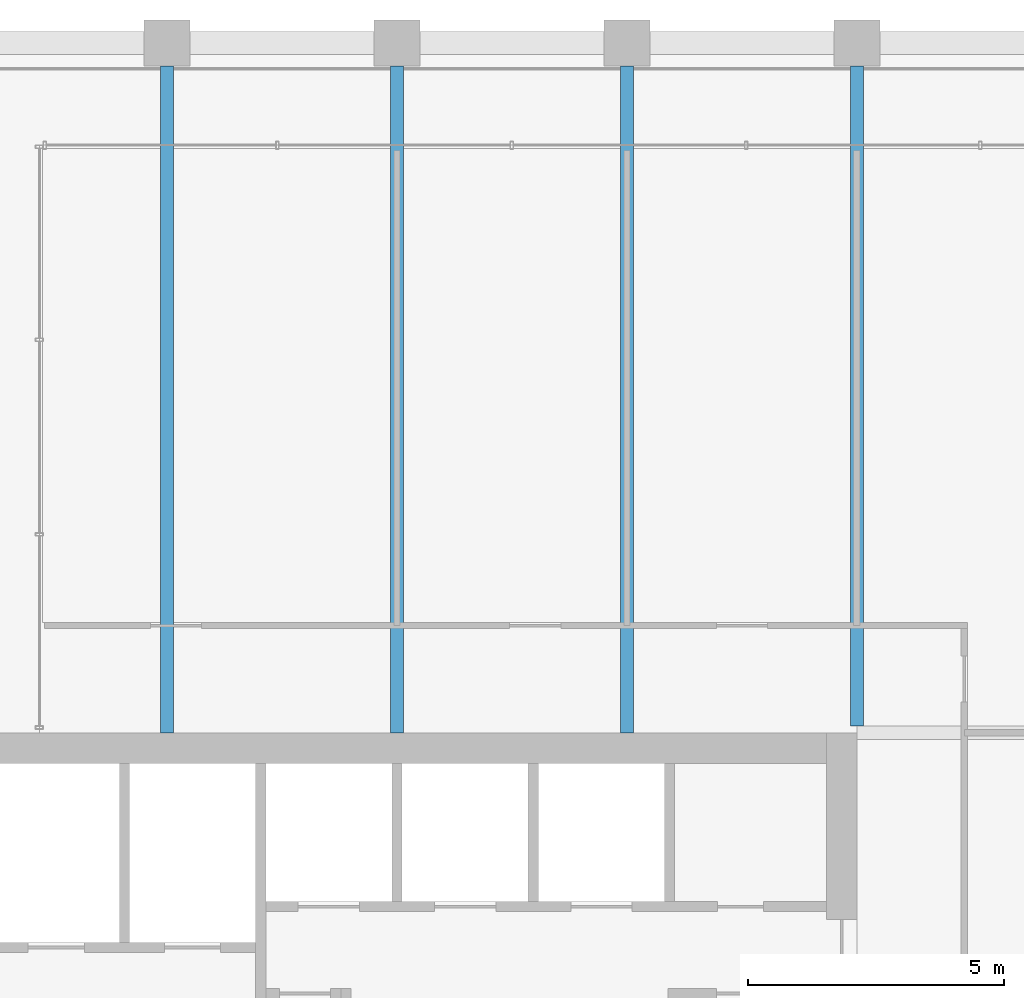
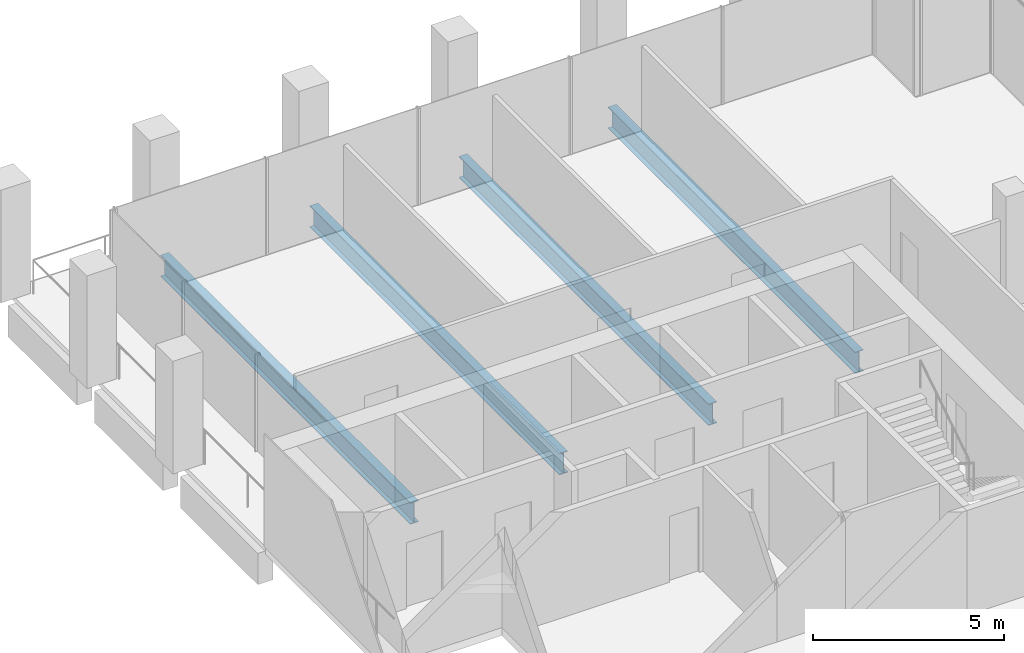
# One storey, part 22 of 40: 4 beams.
"""IFC4 building model written with IfcOpenShell, lengths in metres."""

import ifcopenshell
import ifcopenshell.guid

model = None  # the IFC model being written
_history = None  # IfcOwnerHistory: only IFC2X3 demands one
_inside = {}  # id of a spatial element -> (the spatial element, [elements in it])
_under = {}  # id of a project, library or spatial element -> (it, [spatial elements below it])
_declared = {}  # id of a project -> (the project, [libraries it declares])
_typed = {}  # id of a type object -> (the type object, [elements of that type])
_made_of = {}  # id of a material, layer set ... -> (it, [elements and type objects made of it])


def new_model(schema):
    """Start an empty IFC model of exactly this schema.

    Asked for "IFC4X3", IfcOpenShell would pick the latest addendum, in which some entities
    have other attributes; the version numbers below select the first issue.
    IFC2X3 requires an IfcOwnerHistory on every rooted entity: one is made here for all.
    """
    global model, _history
    if schema == "IFC4X3":
        model = ifcopenshell.file(schema_version=(4, 3, 0, 0))
    else:
        model = ifcopenshell.file(schema=schema)
    _inside.clear()
    _under.clear()
    _declared.clear()
    _typed.clear()
    _made_of.clear()
    _history = None
    if model.schema == "IFC2X3":
        org = make("IfcOrganization", Name="unknown")
        user = make(
            "IfcPersonAndOrganization",
            ThePerson=make("IfcPerson", FamilyName="unknown"),
            TheOrganization=org,
        )
        app = make(
            "IfcApplication",
            ApplicationDeveloper=org,
            Version="unknown",
            ApplicationFullName="unknown",
            ApplicationIdentifier="unknown",
        )
        _history = make(
            "IfcOwnerHistory",
            OwningUser=user,
            OwningApplication=app,
            ChangeAction="ADDED",
            CreationDate=0,
        )
    return model


def make(cls, **values):
    """One entity of the class cls with the attributes given. An attribute that is None is left unset."""
    return model.create_entity(
        cls, **{name: value for name, value in values.items() if value is not None}
    )


def rooted(cls, **values):
    """An entity with a GlobalId (a new one), such as an element, a storey or a relation."""
    return make(cls, GlobalId=ifcopenshell.guid.new(), OwnerHistory=_history, **values)


def si_unit(unit_type, name, prefix=None):
    """IfcSIUnit, for example si_unit("LENGTHUNIT", "METRE", prefix="MILLI")."""
    return make("IfcSIUnit", UnitType=unit_type, Prefix=prefix, Name=name)


def assignment(units):
    """IfcUnitAssignment: the units of a project."""
    return None if units is None else make("IfcUnitAssignment", Units=units)


def point(xyz):
    """IfcCartesianPoint."""
    return None if xyz is None else make("IfcCartesianPoint", Coordinates=xyz)


def direction(xyz):
    """IfcDirection."""
    return None if xyz is None else make("IfcDirection", DirectionRatios=xyz)


def frame(location, z_axis=None, x_axis=None):
    """IfcAxis2Placement3D, a coordinate frame: its origin and axes. An axis left out is left unset."""
    return make(
        "IfcAxis2Placement3D",
        Location=point(location),
        Axis=direction(z_axis),
        RefDirection=direction(x_axis),
    )


def frame_2d(location, x_axis=None):
    """IfcAxis2Placement2D, a coordinate frame in the plane: its origin and x axis."""
    return make(
        "IfcAxis2Placement2D", Location=point(location), RefDirection=direction(x_axis)
    )


def origin():
    """The frame at (0, 0, 0) with its axes left unset."""
    return frame((0.0, 0.0, 0.0))


def origin_2d():
    """The frame at (0, 0) in the plane with its x axis left unset."""
    return frame_2d((0.0, 0.0))


def place(relative_to, where):
    """IfcLocalPlacement: puts the frame where relative to a parent placement (None: the world)."""
    return make(
        "IfcLocalPlacement", PlacementRelTo=relative_to, RelativePlacement=where
    )


def context(
    kind, dimensions, precision=None, world=None, true_north=None, identifier=None
):
    """IfcGeometricRepresentationContext, for example the 3D "Model" context."""
    return make(
        "IfcGeometricRepresentationContext",
        ContextIdentifier=identifier,
        ContextType=kind,
        CoordinateSpaceDimension=dimensions,
        Precision=precision,
        WorldCoordinateSystem=world,
        TrueNorth=true_north,
    )


def subcontext(parent, identifier, kind, view, scale=None):
    """IfcGeometricRepresentationSubContext, for example "Body" below "Model"."""
    return make(
        "IfcGeometricRepresentationSubContext",
        ContextIdentifier=identifier,
        ContextType=kind,
        ParentContext=parent,
        TargetScale=scale,
        TargetView=view,
    )


def project(units=None, contexts=None):
    """IfcProject with its units and contexts."""
    return rooted(
        "IfcProject",
        Name="project",
        RepresentationContexts=contexts,
        UnitsInContext=assignment(units),
    )


def spatial(cls, under=None, at=None, **own):
    """A site, building, storey or space (cls), placed at a placement, below another one or the project."""
    s = rooted(cls, ObjectPlacement=at, **own)
    if under is not None:
        _under.setdefault(under.id(), (under, []))[1].append(s)
    return s


def profile(cls, at=None, kind="AREA", **sizes):
    """A parametric profile (cls). Its sizes go by their IFC names, for example OverallWidth=200.0."""
    return make(cls, ProfileType=kind, Position=at, **sizes)


def i_section(**sizes):
    """IfcIShapeProfileDef."""
    return profile("IfcIShapeProfileDef", **sizes)


def extrude(swept, where, along, depth):
    """IfcExtrudedAreaSolid: the profile swept, set in the frame where, extruded along a direction by depth."""
    return make(
        "IfcExtrudedAreaSolid",
        SweptArea=swept,
        Position=where,
        ExtrudedDirection=direction(along),
        Depth=depth,
    )


def shape(context_of_items, identifier, shape_type, items):
    """IfcShapeRepresentation: the items that make up one representation, for example the "Body"."""
    return make(
        "IfcShapeRepresentation",
        ContextOfItems=context_of_items,
        RepresentationIdentifier=identifier,
        RepresentationType=shape_type,
        Items=items,
    )


def material(Name=None, Category=None):
    """IfcMaterial."""
    return make("IfcMaterial", Name=Name, Category=Category)


def material_profile(
    of_material, cross_section, Name=None, Category=None, Priority=None
):
    """IfcMaterialProfile: a cross section and its material."""
    return make(
        "IfcMaterialProfile",
        Name=Name,
        Material=of_material,
        Profile=cross_section,
        Priority=Priority,
        Category=Category,
    )


def profile_set(profiles, Name=None, composite=None):
    """IfcMaterialProfileSet."""
    return make(
        "IfcMaterialProfileSet",
        Name=Name,
        MaterialProfiles=profiles,
        CompositeProfile=composite,
    )


def made_of(thing, what):
    """Note that an element or type object is made of a material, layer set ...; save() writes the relation."""
    if what is not None:
        _made_of.setdefault(what.id(), (what, []))[1].append(thing)
    return thing


def type_object(cls, material=None, **own):
    """A type object (cls), such as IfcWallType, which elements share."""
    return made_of(rooted(cls, **own), material)


def element(
    cls,
    number,
    at=None,
    inside=None,
    cuts=None,
    type_object=None,
    material=None,
    context=None,
    identifier="Body",
    shape_type=None,
    held_by="IfcProductDefinitionShape",
    body=None,
    shapes=None,
    **own,
):
    """One element of the class cls, such as IfcWall. Its Tag is "e" and its number.

    at: its placement. inside: the storey or other place that contains it. cuts: it is an
    opening in that element (IfcRelVoidsElement). A single representation is given by context,
    identifier, shape_type and body (its items); several are given by shapes. held_by: the class
    of the entity that holds the representations. save() writes the other relations.
    """
    e = rooted(cls, Tag="e%d" % number, ObjectPlacement=at, **own)
    if body is not None:
        shapes = [shape(context, identifier, shape_type, body)]
    if shapes is not None:
        e.Representation = make(held_by, Representations=shapes)
    if inside is not None:
        _inside.setdefault(inside.id(), (inside, []))[1].append(e)
    if cuts is not None:
        rooted(
            "IfcRelVoidsElement", RelatingBuildingElement=cuts, RelatedOpeningElement=e
        )
    if type_object is not None:
        _typed.setdefault(type_object.id(), (type_object, []))[1].append(e)
    return made_of(e, material)


def aggregate(whole, parts):
    """IfcRelAggregates: a whole, such as a stair, and the parts it consists of."""
    return rooted("IfcRelAggregates", RelatingObject=whole, RelatedObjects=parts)


def save(model, path):
    """Write the relations noted so far, then the file.

    IfcRelAggregates (storeys below a building ...), IfcRelContainedInSpatialStructure (elements
    in a storey), IfcRelDefinesByType, IfcRelAssociatesMaterial and IfcRelDeclares: one each for
    every whole, place, type object, material and project.
    """
    for whole, parts in _under.values():
        aggregate(whole, parts)
    for where, things in _inside.values():
        rooted(
            "IfcRelContainedInSpatialStructure",
            RelatedElements=things,
            RelatingStructure=where,
        )
    for kind, things in _typed.values():
        rooted("IfcRelDefinesByType", RelatedObjects=things, RelatingType=kind)
    for what, things in _made_of.values():
        rooted("IfcRelAssociatesMaterial", RelatedObjects=things, RelatingMaterial=what)
    for by, libraries in _declared.values():
        rooted("IfcRelDeclares", RelatingContext=by, RelatedDefinitions=libraries)
    model.write(path)


model = new_model("IFC4")

# Units and contexts
model_context = context("Model", 3, precision=1e-05, world=origin(), true_north=direction((0.0, 1.0)))
body_context = subcontext(model_context, "Body", "Model", "MODEL_VIEW")
ifc_project = project(units=[si_unit("LENGTHUNIT", "METRE"), si_unit("AREAUNIT", "SQUARE_METRE"), si_unit("VOLUMEUNIT", "CUBIC_METRE"), si_unit("PLANEANGLEUNIT", "RADIAN"), si_unit("MASSUNIT", "GRAM", prefix="KILO")], contexts=[model_context])

# Site, building, storey
site_placement = place(None, origin())
site = spatial("IfcSite", under=ifc_project, at=site_placement, CompositionType="ELEMENT")
building_placement = place(site_placement, origin())
building = spatial("IfcBuilding", under=site, at=building_placement, Name="Altepetl Exchange Towers", CompositionType="ELEMENT")
storey_placement = place(building_placement, frame((0.0, 0.0, 172.60009765625)))
storey = spatial("IfcBuildingStorey", under=building, at=storey_placement, Name="L43", CompositionType="ELEMENT", Elevation=172.60009765625)

# Beams
ifc_material = material(Name="Steel S355", Category="steel")
ifc_material_profile = material_profile(ifc_material, i_section(OverallWidth=0.25390625, OverallDepth=0.68408203125, WebThickness=0.012451171875, FlangeThickness=0.018798828125, at=origin_2d()), Name="W27X94")
ifc_profile_set = profile_set([ifc_material_profile], Name="Steel S355")
beam_type = type_object("IfcBeamType", Name="Floor beam W27X94", PredefinedType="BEAM", material=ifc_profile_set)
for number, where, z_axis, x_axis, name in (
    (1, (45.0, 58.5, -0.4921875), (0.0, 1.0, 0.0), (-1.0, 0.0, 0.0), "bm:A:L43:000"),
    (2, (49.5, 58.5, -0.4921875), (0.0, 1.0, 0.0), (-1.0, 0.0, 0.0), "bm:A:L43:001"),
    (3, (54.0, 58.5, -0.4921875), (0.0, 1.0, 0.0), (-1.0, 0.0, 0.0), "bm:A:L43:002"),
):
    element("IfcBeam", number, at=place(storey_placement, frame(where, z_axis=z_axis, x_axis=x_axis)), inside=storey, type_object=beam_type, Name=name, PredefinedType="BEAM", context=body_context, shape_type="SweptSolid", body=[
        extrude(i_section(OverallWidth=0.25390625, OverallDepth=0.68408203125, WebThickness=0.012451171875, FlangeThickness=0.018798828125, at=origin_2d()), origin(), (0.0, 0.0, 1.0), 13.050048828125),
    ])
beam_placement = place(storey_placement, frame((58.5, 58.634033203125, -0.4921875), z_axis=(0.0, 1.0, 0.0), x_axis=(-1.0, 0.0, 0.0)))
element("IfcBeam", 4, at=beam_placement, inside=storey, type_object=beam_type, Name="bm:A:L43:003", PredefinedType="BEAM", context=body_context, shape_type="SweptSolid", body=[
    extrude(i_section(OverallWidth=0.25390625, OverallDepth=0.68408203125, WebThickness=0.012451171875, FlangeThickness=0.018798828125, at=origin_2d()), origin(), (0.0, 0.0, 1.0), 12.916015625),
])

save(model, "model.ifc")
